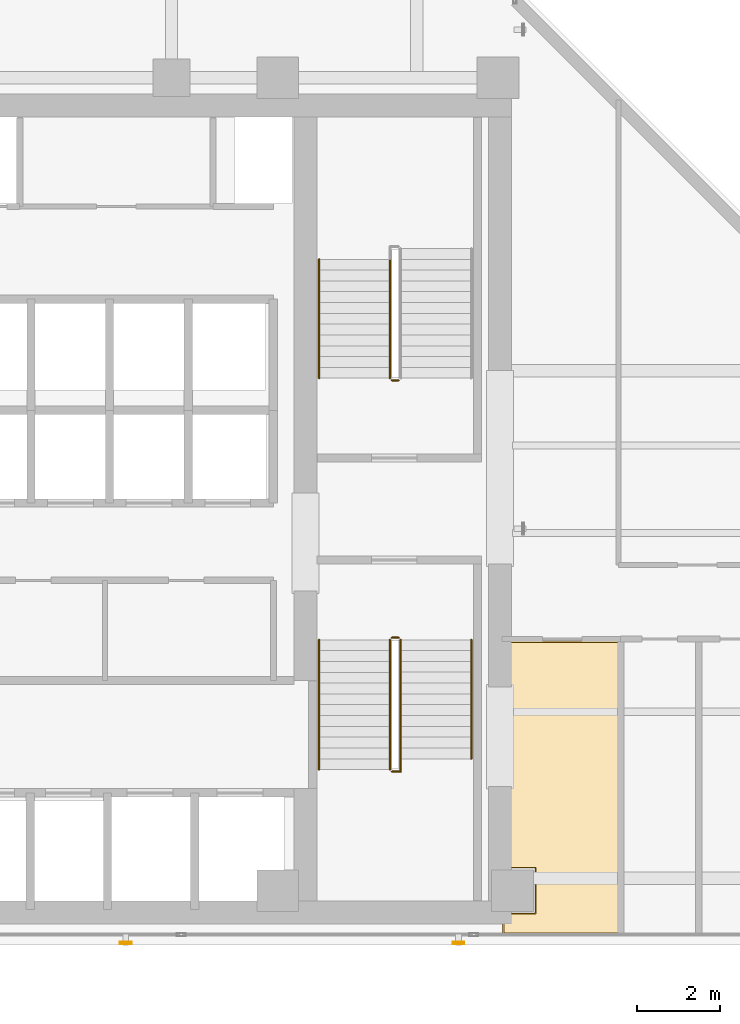
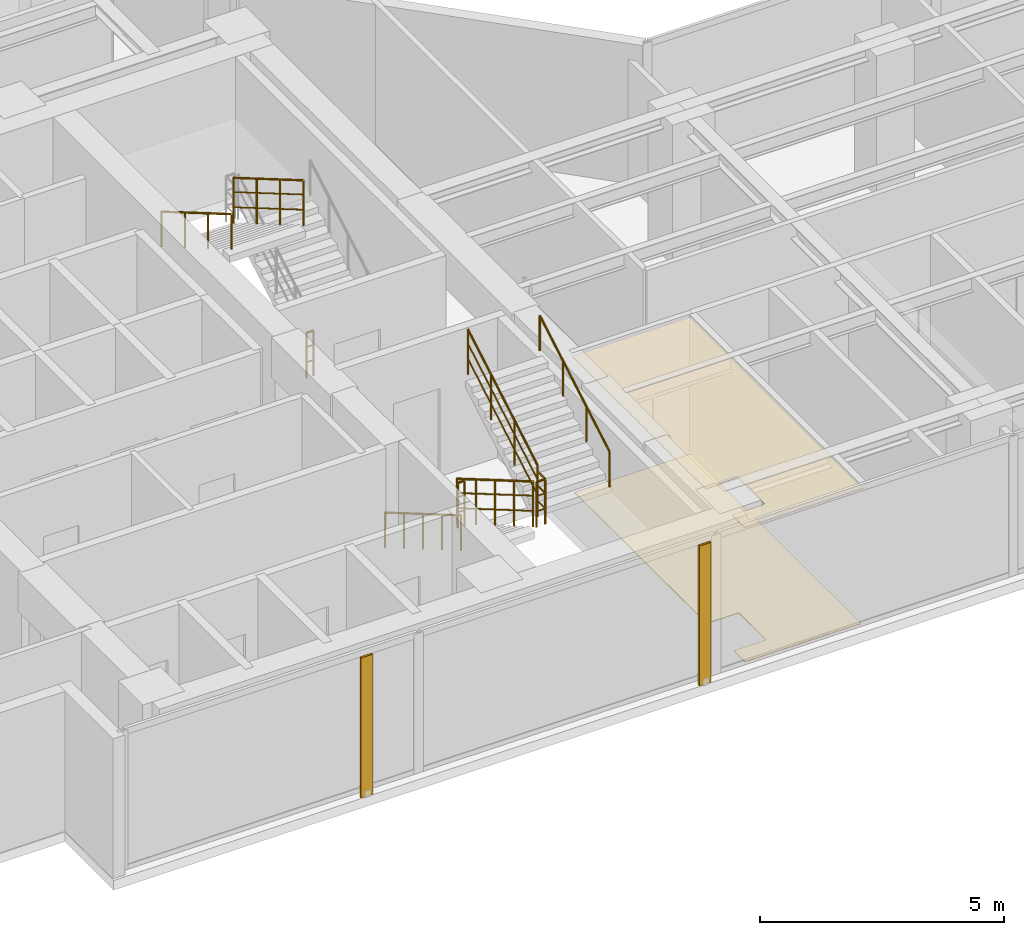
# One storey, part 20 of 22: 9 railings, 2 coverings, 2 shading devices.
"""IFC4 building model written with IfcOpenShell, lengths in metres."""

from ifc_helpers import new_model, si_unit, direction, frame, origin, origin_2d, place, context, subcontext, project, spatial, polyline, hollow_rectangle, circle, outline, extrude, material, layer, layer_set, material_profile, profile_set, type_object, element, save


model = new_model("IFC4")

# Units and contexts
model_context = context("Model", 3, precision=1e-05, world=origin(), true_north=direction((0.0, 1.0)))
body_context = subcontext(model_context, "Body", "Model", "MODEL_VIEW")
ifc_project = project(units=[si_unit("LENGTHUNIT", "METRE"), si_unit("AREAUNIT", "SQUARE_METRE"), si_unit("VOLUMEUNIT", "CUBIC_METRE"), si_unit("PLANEANGLEUNIT", "RADIAN"), si_unit("MASSUNIT", "GRAM", prefix="KILO")], contexts=[model_context])

# Site, building, storey
site_placement = place(None, origin())
site = spatial("IfcSite", under=ifc_project, at=site_placement, CompositionType="ELEMENT")
building_placement = place(site_placement, origin())
building = spatial("IfcBuilding", under=site, at=building_placement, Name="Kolvaren Waterfront Exchange", CompositionType="ELEMENT")
storey_placement = place(building_placement, frame((0.0, 0.0, 219.699951171875)))
storey = spatial("IfcBuildingStorey", under=building, at=storey_placement, Name="L56", CompositionType="ELEMENT", Elevation=219.699951171875)

# Covering
ifc_material_1 = material(Name="Mineral fibre acoustic ceiling tile")
ifc_layer_1 = layer(ifc_material_1, 0.02490234375, Name="Mineral fibre acoustic ceiling tile")
ifc_layer_set_1 = layer_set([ifc_layer_1], Name="Mineral fibre acoustic ceiling tile")
covering_type_1 = type_object("IfcCoveringType", Name="ARC-CEIL-ACOUSTIC-25", PredefinedType="CEILING", material=ifc_layer_set_1)
covering_1_placement = place(storey_placement, frame((0.0, 0.0, 3.385009765625)))
element("IfcCovering", 1, at=covering_1_placement, inside=storey, type_object=covering_type_1, Name="L56 acoustic suspended ceiling 3", PredefinedType="CEILING", context=body_context, shape_type="SweptSolid", body=[
    extrude(outline(polyline([(20.864990234375, 5.43994140625), (21.639892578125, 5.43994140625), (21.639892578125, 4.360107421875), (20.864990234375, 4.360107421875), (20.864990234375, 3.844970703125), (23.675048828125, 3.844970703125), (23.675048828125, 10.905029296875), (20.864990234375, 10.905029296875), (20.864990234375, 5.43994140625)])), origin(), (0.0, 0.0, 1.0), 0.025146484375),
])

# Shading devices
ifc_material_2 = material(Name="Anodised bronze aluminium 6063-T6", Category="aluminium")
ifc_material_profile = material_profile(ifc_material_2, hollow_rectangle(XDim=0.054931640625, YDim=0.280029296875, WallThickness=0.00439453125, at=origin_2d()), Name="BRZ-FIN-280x55x4.5")
ifc_profile_set = profile_set([ifc_material_profile], Name="Anodised bronze aluminium 6063-T6")
shading_device_type = type_object("IfcShadingDeviceType", Name="ARC-FIN-280", PredefinedType="USERDEFINED", material=ifc_profile_set)
for number, where, z_axis, x_axis, name in (
    (2, (11.800048828125, 3.639892578125, 0.0), (0.0, 0.0, 1.0), (0.0, -1.0, 0.0), "L56 anodised bronze solar shading fin FIN-L56-S1"),
    (3, (19.800048828125, 3.639892578125, 0.0), (0.0, 0.0, 1.0), (0.0, -1.0, 0.0), "L56 anodised bronze solar shading fin FIN-L56-S2"),
):
    element("IfcShadingDevice", number, at=place(storey_placement, frame(where, z_axis=z_axis, x_axis=x_axis)), inside=storey, type_object=shading_device_type, Name=name, ObjectType="SOLAR FIN", PredefinedType="USERDEFINED", context=body_context, shape_type="SweptSolid", body=[
        extrude(hollow_rectangle(XDim=0.054931640625, YDim=0.280029296875, WallThickness=0.00439453125, at=origin_2d()), origin(), (0.0, 0.0, 1.0), 3.5),
    ])

# Covering
ifc_material_3 = material(Name="Slip-resistant porcelain tile")
ifc_layer_2 = layer(ifc_material_3, 0.014892578125, Name="Slip-resistant porcelain tile")
ifc_layer_set_2 = layer_set([ifc_layer_2], Name="Slip-resistant porcelain tile")
covering_type_2 = type_object("IfcCoveringType", Name="ARC-FLR-PORC-15", PredefinedType="FLOORING", material=ifc_layer_set_2)
covering_2_placement = place(storey_placement, origin())
element("IfcCovering", 4, at=covering_2_placement, inside=storey, type_object=covering_type_2, Name="L56 floor finish 3", PredefinedType="FLOORING", context=body_context, shape_type="SweptSolid", body=[
    extrude(outline(polyline([(20.89990234375, 4.340087890625), (20.89990234375, 3.8798828125), (23.639892578125, 3.8798828125), (23.639892578125, 10.8701171875), (20.89990234375, 10.8701171875), (20.89990234375, 5.4599609375), (21.659912109375, 5.4599609375), (21.659912109375, 4.340087890625), (20.89990234375, 4.340087890625)])), origin(), (0.0, 0.0, 1.0), 0.01513671875),
])

# Railings
ifc_material_4 = material(Name="Stainless steel 316", Category="steel")
railing_type_1 = type_object("IfcRailingType", Name="ARC-GUARD-STAIR", PredefinedType="GUARDRAIL", material=ifc_material_4)
railing_1_placement = place(storey_placement, frame((18.14990234375, 10.929931640625, 0.152099609375)))
element("IfcRailing", 5, at=railing_1_placement, inside=storey, type_object=railing_type_1, Name="L56 ST1 stair guard 1", PredefinedType="GUARDRAIL", context=body_context, shape_type="SweptSolid", body=[
    extrude(circle(Radius=0.02392578125, at=origin_2d()), frame((0.0, 0.0, 1.1259765625), z_axis=(0.0, -0.86329090724, 0.504706656858), x_axis=(1.0, 0.0, 0.0)), (0.0, 0.0, 1.0), 3.614013671875),
    extrude(circle(Radius=0.01611328125, at=origin_2d()), frame((0.0, 0.0, 0.390869140625), z_axis=(0.0, -0.86329090724, 0.504706656858), x_axis=(1.0, 0.0, 0.0)), (0.0, 0.0, 1.0), 3.614013671875),
    extrude(circle(Radius=0.01611328125, at=origin_2d()), frame((0.0, 0.0, 0.7705078125), z_axis=(0.0, -0.86329090724, 0.504706656858), x_axis=(1.0, 0.0, 0.0)), (0.0, 0.0, 1.0), 3.614013671875),
    extrude(circle(Radius=0.02099609375, at=origin_2d()), origin(), (0.0, 0.0, 1.0), 1.101806640625),
    extrude(circle(Radius=0.02099609375, at=origin_2d()), frame((0.0, -0.780029296875, 0.4560546875)), (0.0, 0.0, 1.0), 1.101806640625),
    extrude(circle(Radius=0.02099609375, at=origin_2d()), frame((0.0, -1.56005859375, 0.912109375)), (0.0, 0.0, 1.0), 1.101806640625),
    extrude(circle(Radius=0.02099609375, at=origin_2d()), frame((0.0, -2.33984375, 1.367919921875)), (0.0, 0.0, 1.0), 1.101806640625),
    extrude(circle(Radius=0.02099609375, at=origin_2d()), frame((0.0, -3.119873046875, 1.823974609375)), (0.0, 0.0, 1.0), 1.101806640625),
])
railing_2_placement = place(storey_placement, frame((18.199951171875, 7.760009765625, 1.97607421875)))
element("IfcRailing", 6, at=railing_2_placement, inside=storey, type_object=railing_type_1, Name="L56 ST1 stair guard 2", PredefinedType="GUARDRAIL", context=body_context, shape_type="SweptSolid", body=[
    extrude(circle(Radius=0.02392578125, at=origin_2d()), frame((0.0, 0.0, 1.1259765625), z_axis=(1.0, 0.0, 0.0), x_axis=(0.0, 1.0, 0.0)), (0.0, 0.0, 1.0), 0.2099609375),
    extrude(circle(Radius=0.01611328125, at=origin_2d()), frame((0.0, 0.0, 0.390869140625), z_axis=(1.0, 0.0, 0.0), x_axis=(0.0, 1.0, 0.0)), (0.0, 0.0, 1.0), 0.2099609375),
    extrude(circle(Radius=0.01611328125, at=origin_2d()), frame((0.0, 0.0, 0.7705078125), z_axis=(1.0, 0.0, 0.0), x_axis=(0.0, 1.0, 0.0)), (0.0, 0.0, 1.0), 0.2099609375),
    extrude(circle(Radius=0.02392578125, at=origin_2d()), frame((0.2099609375, 0.0, 1.1259765625), z_axis=(0.0, 1.0, 0.0), x_axis=(-1.0, 0.0, 0.0)), (0.0, 0.0, 1.0), 0.31005859375),
    extrude(circle(Radius=0.01611328125, at=origin_2d()), frame((0.2099609375, 0.0, 0.390869140625), z_axis=(0.0, 1.0, 0.0), x_axis=(-1.0, 0.0, 0.0)), (0.0, 0.0, 1.0), 0.31005859375),
    extrude(circle(Radius=0.01611328125, at=origin_2d()), frame((0.2099609375, 0.0, 0.7705078125), z_axis=(0.0, 1.0, 0.0), x_axis=(-1.0, 0.0, 0.0)), (0.0, 0.0, 1.0), 0.31005859375),
    extrude(circle(Radius=0.02099609375, at=origin_2d()), origin(), (0.0, 0.0, 1.0), 1.101806640625),
    extrude(circle(Radius=0.02099609375, at=origin_2d()), frame((0.2099609375, 0.0, 0.0)), (0.0, 0.0, 1.0), 1.101806640625),
    extrude(circle(Radius=0.02099609375, at=origin_2d()), frame((0.2099609375, 0.31005859375, 0.0)), (0.0, 0.0, 1.0), 1.101806640625),
])
railing_3_placement = place(storey_placement, frame((18.409912109375, 8.070068359375, 2.1279296875)))
element("IfcRailing", 7, at=railing_3_placement, inside=storey, type_object=railing_type_1, Name="L56 ST1 stair guard 3", PredefinedType="GUARDRAIL", context=body_context, shape_type="SweptSolid", body=[
    extrude(circle(Radius=0.02392578125, at=origin_2d()), frame((0.0, 0.0, 1.1259765625), z_axis=(0.0, 0.863270611444, 0.50474137082), x_axis=(-1.0, 0.0, 0.0)), (0.0, 0.0, 1.0), 3.312744140625),
    extrude(circle(Radius=0.01611328125, at=origin_2d()), frame((0.0, 0.0, 0.390869140625), z_axis=(0.0, 0.863270611444, 0.50474137082), x_axis=(-1.0, 0.0, 0.0)), (0.0, 0.0, 1.0), 3.312744140625),
    extrude(circle(Radius=0.01611328125, at=origin_2d()), frame((0.0, 0.0, 0.7705078125), z_axis=(0.0, 0.863270611444, 0.50474137082), x_axis=(-1.0, 0.0, 0.0)), (0.0, 0.0, 1.0), 3.312744140625),
    extrude(circle(Radius=0.02099609375, at=origin_2d()), origin(), (0.0, 0.0, 1.0), 1.101806640625),
    extrude(circle(Radius=0.02099609375, at=origin_2d()), frame((0.0, 0.953369140625, 0.557373046875)), (0.0, 0.0, 1.0), 1.101806640625),
    extrude(circle(Radius=0.02099609375, at=origin_2d()), frame((0.0, 1.906494140625, 1.11474609375)), (0.0, 0.0, 1.0), 1.101806640625),
    extrude(circle(Radius=0.02099609375, at=origin_2d()), frame((0.0, 2.85986328125, 1.672119140625)), (0.0, 0.0, 1.0), 1.101806640625),
])
railing_4_placement = place(storey_placement, frame((18.199951171875, 10.97998046875, 0.0)))
element("IfcRailing", 8, at=railing_4_placement, inside=storey, type_object=railing_type_1, Name="L56 ST1 stair guard 4", PredefinedType="GUARDRAIL", context=body_context, shape_type="SweptSolid", body=[
    extrude(circle(Radius=0.02392578125, at=origin_2d()), frame((0.0, 0.0, 1.1259765625), z_axis=(1.0, 0.0, 0.0), x_axis=(0.0, 1.0, 0.0)), (0.0, 0.0, 1.0), 0.16015625),
    extrude(circle(Radius=0.01611328125, at=origin_2d()), frame((0.0, 0.0, 0.390869140625), z_axis=(1.0, 0.0, 0.0), x_axis=(0.0, 1.0, 0.0)), (0.0, 0.0, 1.0), 0.16015625),
    extrude(circle(Radius=0.01611328125, at=origin_2d()), frame((0.0, 0.0, 0.7705078125), z_axis=(1.0, 0.0, 0.0), x_axis=(0.0, 1.0, 0.0)), (0.0, 0.0, 1.0), 0.16015625),
    extrude(circle(Radius=0.02099609375, at=origin_2d()), origin(), (0.0, 0.0, 1.0), 1.101806640625),
    extrude(circle(Radius=0.02099609375, at=origin_2d()), frame((0.16015625, 0.0, 0.0)), (0.0, 0.0, 1.0), 1.101806640625),
])
railing_5_placement = place(storey_placement, frame((18.14990234375, 20.080078125, 2.1279296875)))
element("IfcRailing", 9, at=railing_5_placement, inside=storey, type_object=railing_type_1, Name="L56 ST2 stair guard 3", PredefinedType="GUARDRAIL", context=body_context, shape_type="SweptSolid", body=[
    extrude(circle(Radius=0.02392578125, at=origin_2d()), frame((0.0, 0.0, 1.1259765625), z_axis=(0.0, -0.863289384635, 0.504709261235), x_axis=(1.0, 0.0, 0.0)), (0.0, 0.0, 1.0), 3.31298828125),
    extrude(circle(Radius=0.01611328125, at=origin_2d()), frame((0.0, 0.0, 0.390869140625), z_axis=(0.0, -0.863289384635, 0.504709261235), x_axis=(1.0, 0.0, 0.0)), (0.0, 0.0, 1.0), 3.31298828125),
    extrude(circle(Radius=0.01611328125, at=origin_2d()), frame((0.0, 0.0, 0.7705078125), z_axis=(0.0, -0.863289384635, 0.504709261235), x_axis=(1.0, 0.0, 0.0)), (0.0, 0.0, 1.0), 3.31298828125),
    extrude(circle(Radius=0.02099609375, at=origin_2d()), origin(), (0.0, 0.0, 1.0), 1.101806640625),
    extrude(circle(Radius=0.02099609375, at=origin_2d()), frame((0.0, -0.953369140625, 0.557373046875)), (0.0, 0.0, 1.0), 1.101806640625),
    extrude(circle(Radius=0.02099609375, at=origin_2d()), frame((0.0, -1.90673828125, 1.11474609375)), (0.0, 0.0, 1.0), 1.101806640625),
    extrude(circle(Radius=0.02099609375, at=origin_2d()), frame((0.0, -2.860107421875, 1.672119140625)), (0.0, 0.0, 1.0), 1.101806640625),
])
railing_6_placement = place(storey_placement, frame((18.360107421875, 17.169921875, 0.0)))
element("IfcRailing", 10, at=railing_6_placement, inside=storey, type_object=railing_type_1, Name="L56 ST2 stair guard 4", PredefinedType="GUARDRAIL", context=body_context, shape_type="SweptSolid", body=[
    extrude(circle(Radius=0.02392578125, at=origin_2d()), frame((0.0, 0.0, 1.1259765625), z_axis=(-1.0, 0.0, 0.0), x_axis=(0.0, -1.0, 0.0)), (0.0, 0.0, 1.0), 0.16015625),
    extrude(circle(Radius=0.01611328125, at=origin_2d()), frame((0.0, 0.0, 0.390869140625), z_axis=(-1.0, 0.0, 0.0), x_axis=(0.0, -1.0, 0.0)), (0.0, 0.0, 1.0), 0.16015625),
    extrude(circle(Radius=0.01611328125, at=origin_2d()), frame((0.0, 0.0, 0.7705078125), z_axis=(-1.0, 0.0, 0.0), x_axis=(0.0, -1.0, 0.0)), (0.0, 0.0, 1.0), 0.16015625),
    extrude(circle(Radius=0.02099609375, at=origin_2d()), origin(), (0.0, 0.0, 1.0), 1.101806640625),
    extrude(circle(Radius=0.02099609375, at=origin_2d()), frame((-0.16015625, 0.0, 0.0)), (0.0, 0.0, 1.0), 1.101806640625),
])
railing_type_2 = type_object("IfcRailingType", Name="ARC-HANDRAIL-900", PredefinedType="HANDRAIL", material=ifc_material_4)
railing_7_placement = place(storey_placement, frame((16.449951171875, 10.929931640625, 0.152099609375)))
element("IfcRailing", 11, at=railing_7_placement, inside=storey, type_object=railing_type_2, Name="L56 ST1 stair handrail 1", PredefinedType="HANDRAIL", context=body_context, shape_type="SweptSolid", body=[
    extrude(circle(Radius=0.02392578125, at=origin_2d()), frame((0.0, 0.0, 0.8759765625), z_axis=(0.0, -0.86329090724, 0.504706656858), x_axis=(1.0, 0.0, 0.0)), (0.0, 0.0, 1.0), 3.614013671875),
    extrude(circle(Radius=0.02099609375, at=origin_2d()), origin(), (0.0, 0.0, 1.0), 0.851806640625),
    extrude(circle(Radius=0.02099609375, at=origin_2d()), frame((0.0, -0.780029296875, 0.4560546875)), (0.0, 0.0, 1.0), 0.851806640625),
    extrude(circle(Radius=0.02099609375, at=origin_2d()), frame((0.0, -1.56005859375, 0.912109375)), (0.0, 0.0, 1.0), 0.851806640625),
    extrude(circle(Radius=0.02099609375, at=origin_2d()), frame((0.0, -2.33984375, 1.367919921875)), (0.0, 0.0, 1.0), 0.851806640625),
    extrude(circle(Radius=0.02099609375, at=origin_2d()), frame((0.0, -3.119873046875, 1.823974609375)), (0.0, 0.0, 1.0), 0.851806640625),
])
railing_8_placement = place(storey_placement, frame((20.110107421875, 8.070068359375, 2.1279296875)))
element("IfcRailing", 12, at=railing_8_placement, inside=storey, type_object=railing_type_2, Name="L56 ST1 stair handrail 2", PredefinedType="HANDRAIL", context=body_context, shape_type="SweptSolid", body=[
    extrude(circle(Radius=0.02392578125, at=origin_2d()), frame((0.0, 0.0, 0.8759765625), z_axis=(0.0, 0.863270611444, 0.50474137082), x_axis=(-1.0, 0.0, 0.0)), (0.0, 0.0, 1.0), 3.312744140625),
    extrude(circle(Radius=0.02099609375, at=origin_2d()), origin(), (0.0, 0.0, 1.0), 0.851806640625),
    extrude(circle(Radius=0.02099609375, at=origin_2d()), frame((0.0, 0.953369140625, 0.557373046875)), (0.0, 0.0, 1.0), 0.851806640625),
    extrude(circle(Radius=0.02099609375, at=origin_2d()), frame((0.0, 1.906494140625, 1.11474609375)), (0.0, 0.0, 1.0), 0.851806640625),
    extrude(circle(Radius=0.02099609375, at=origin_2d()), frame((0.0, 2.85986328125, 1.672119140625)), (0.0, 0.0, 1.0), 0.851806640625),
])
railing_9_placement = place(storey_placement, frame((16.449951171875, 20.080078125, 2.1279296875)))
element("IfcRailing", 13, at=railing_9_placement, inside=storey, type_object=railing_type_2, Name="L56 ST2 stair handrail 2", PredefinedType="HANDRAIL", context=body_context, shape_type="SweptSolid", body=[
    extrude(circle(Radius=0.02392578125, at=origin_2d()), frame((0.0, 0.0, 0.8759765625), z_axis=(0.0, -0.863289384635, 0.504709261235), x_axis=(1.0, 0.0, 0.0)), (0.0, 0.0, 1.0), 3.31298828125),
    extrude(circle(Radius=0.02099609375, at=origin_2d()), origin(), (0.0, 0.0, 1.0), 0.851806640625),
    extrude(circle(Radius=0.02099609375, at=origin_2d()), frame((0.0, -0.953369140625, 0.557373046875)), (0.0, 0.0, 1.0), 0.851806640625),
    extrude(circle(Radius=0.02099609375, at=origin_2d()), frame((0.0, -1.90673828125, 1.11474609375)), (0.0, 0.0, 1.0), 0.851806640625),
    extrude(circle(Radius=0.02099609375, at=origin_2d()), frame((0.0, -2.860107421875, 1.672119140625)), (0.0, 0.0, 1.0), 0.851806640625),
])

save(model, "model.ifc")
